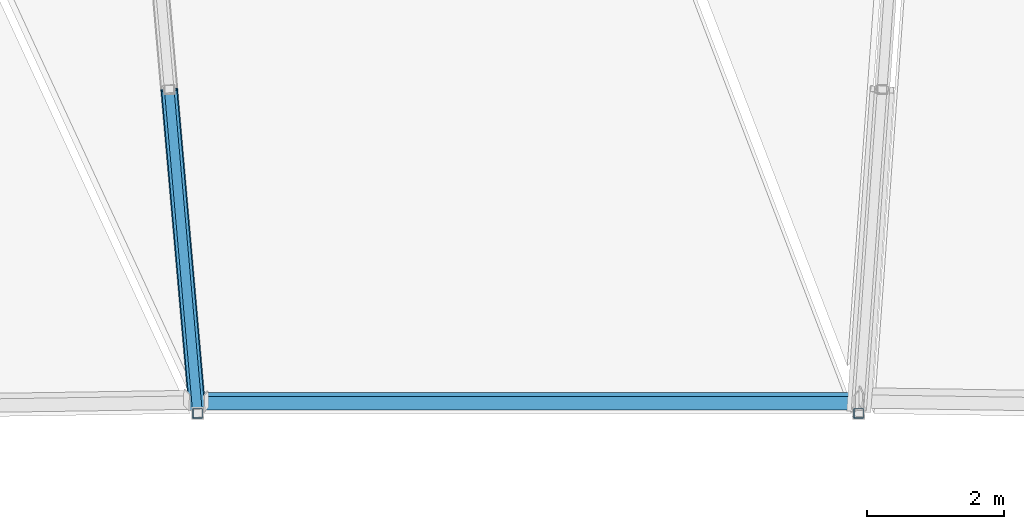
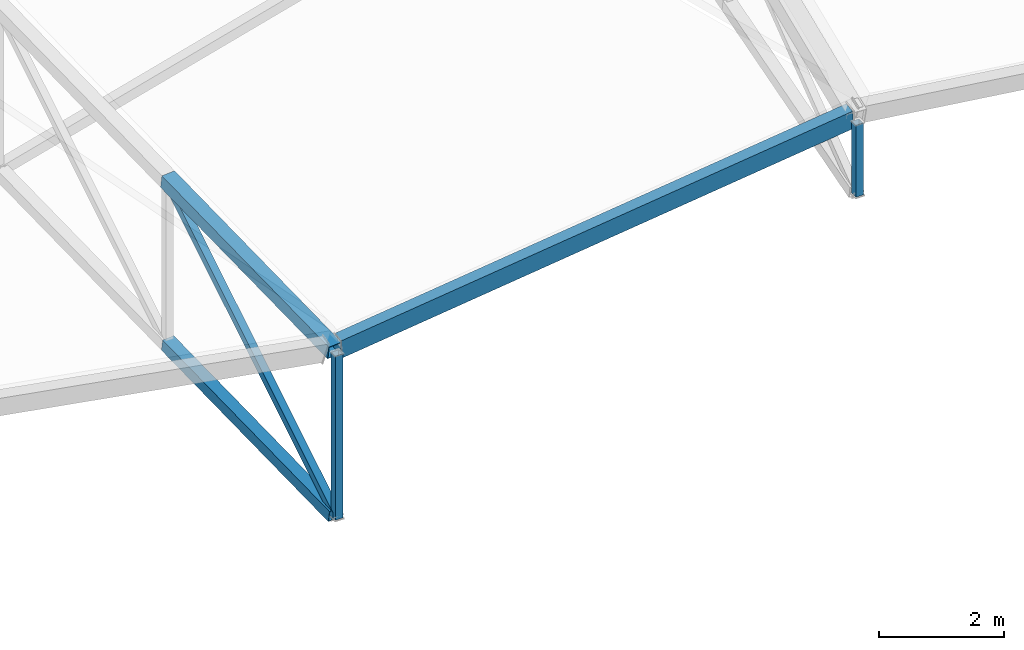
# One storey, part 150 of 344: 5 members, 1 beam.
"""IFC4 building model written with IfcOpenShell, lengths in metres."""

from ifc_helpers import new_model, si_unit, direction, frame, origin, origin_2d, place, context, subcontext, project, spatial, hollow_rectangle, extrude, material, material_profile, profile_set, type_object, element, save


model = new_model("IFC4")

# Units and contexts
model_context = context("Model", 3, precision=1e-05, world=origin(), true_north=direction((0.0, 1.0)))
body_context = subcontext(model_context, "Body", "Model", "MODEL_VIEW")
ifc_project = project(units=[si_unit("LENGTHUNIT", "METRE"), si_unit("AREAUNIT", "SQUARE_METRE"), si_unit("VOLUMEUNIT", "CUBIC_METRE"), si_unit("PLANEANGLEUNIT", "RADIAN"), si_unit("MASSUNIT", "GRAM", prefix="KILO")], contexts=[model_context])

# Site, building, storey
site_placement = place(None, origin())
site = spatial("IfcSite", under=ifc_project, at=site_placement, CompositionType="ELEMENT")
building_placement = place(site_placement, origin())
building = spatial("IfcBuilding", under=site, at=building_placement, Name="Meseta Stadium", CompositionType="ELEMENT")
storey_placement = place(building_placement, frame((0.0, 0.0, 24.0)))
storey = spatial("IfcBuildingStorey", under=building, at=storey_placement, Name="L04", CompositionType="ELEMENT", Elevation=24.0)

# Beam
ifc_material_1 = material(Name="Steel S355", Category="steel")
ifc_material_profile_1 = material_profile(ifc_material_1, hollow_rectangle(XDim=0.199951171875, YDim=0.39990234375, WallThickness=0.01611328125, at=origin_2d()), Name="RHS 400x200x16")
ifc_profile_set_1 = profile_set([ifc_material_profile_1], Name="Steel S355")
beam_type = type_object("IfcBeamType", Name="RHS 400x200x16 tip ring beam", PredefinedType="BEAM", material=ifc_profile_set_1)
beam_placement = place(storey_placement, frame((4.76806640625, 66.156982421875, 6.14111328125), z_axis=(-0.992320038647, 0.0, -0.123696972071), x_axis=(0.019061759151, -0.988055186253, -0.152916965234)))
element("IfcBeam", 1, at=beam_placement, inside=storey, type_object=beam_type, Name="TIP RING BEAM 19", PredefinedType="BEAM", context=body_context, shape_type="SweptSolid", body=[
    extrude(hollow_rectangle(XDim=0.199951171875, YDim=0.39990234375, WallThickness=0.01611328125, at=origin_2d()), origin(), (0.0, 0.0, 1.0), 9.51904296875),
])

# Members
ifc_material_2 = material(Name="Steel S355", Category="steel")
ifc_material_profile_2 = material_profile(ifc_material_2, hollow_rectangle(XDim=0.139892578125, YDim=0.139892578125, WallThickness=0.0048828125, at=origin_2d()), Name="SHS 140x140x5")
ifc_profile_set_2 = profile_set([ifc_material_profile_2], Name="Steel S355")
member_type_1 = type_object("IfcMemberType", Name="SHS 140x140x5 diagonal", PredefinedType="BRACE", material=ifc_profile_set_2)
member_1_placement = place(storey_placement, frame((-4.80810546875, 65.981201171875, 1.7705078125), z_axis=(-0.067383470322, 0.769224802413, 0.635415353355), x_axis=(-0.996185132268, -0.087265011587, 0.0)))
element("IfcMember", 2, at=member_1_placement, inside=storey, type_object=member_type_1, Name="ROOF TRUSS RT-19 diagonal", PredefinedType="BRACE", context=body_context, shape_type="SweptSolid", body=[
    extrude(hollow_rectangle(XDim=0.139892578125, YDim=0.139892578125, WallThickness=0.0048828125, at=origin_2d()), origin(), (0.0, 0.0, 1.0), 6.119384765625),
])
ifc_material_3 = material(Name="Steel S355", Category="steel")
ifc_material_profile_3 = material_profile(ifc_material_3, hollow_rectangle(XDim=0.139892578125, YDim=0.139892578125, WallThickness=0.0048828125, at=origin_2d()), Name="SHS 140x140x5")
ifc_profile_set_3 = profile_set([ifc_material_profile_3], Name="Steel S355")
member_type_2 = type_object("IfcMemberType", Name="SHS 140x140x5 rim post", PredefinedType="POST", material=ifc_profile_set_3)
member_2_placement = place(storey_placement, frame((4.80810546875, 65.981201171875, 4.71435546875), z_axis=(0.0, 0.0, 1.0), x_axis=(1.0, 0.0, 0.0)))
element("IfcMember", 3, at=member_2_placement, inside=storey, type_object=member_type_2, Name="ROOF TRUSS RT-18 post", PredefinedType="POST", context=body_context, shape_type="SweptSolid", body=[
    extrude(hollow_rectangle(XDim=0.139892578125, YDim=0.139892578125, WallThickness=0.0048828125, at=origin_2d()), origin(), (0.0, 0.0, 1.0), 1.400146484375),
])
member_3_placement = place(storey_placement, frame((-4.80810546875, 65.981201171875, 1.7705078125), z_axis=(0.0, 0.0, 1.0), x_axis=(1.0, 0.0, 0.0)))
element("IfcMember", 4, at=member_3_placement, inside=storey, type_object=member_type_2, Name="ROOF TRUSS RT-19 post", PredefinedType="POST", context=body_context, shape_type="SweptSolid", body=[
    extrude(hollow_rectangle(XDim=0.139892578125, YDim=0.139892578125, WallThickness=0.0048828125, at=origin_2d()), origin(), (0.0, 0.0, 1.0), 3.199951171875),
])
ifc_material_4 = material(Name="Steel S355", Category="steel")
ifc_material_profile_4 = material_profile(ifc_material_4, hollow_rectangle(XDim=0.219970703125, YDim=0.219970703125, WallThickness=0.008056640625, at=origin_2d()), Name="SHS 220x220x8")
ifc_profile_set_4 = profile_set([ifc_material_profile_4], Name="Steel S355")
member_type_3 = type_object("IfcMemberType", Name="SHS 220x220x8 bottom chord", PredefinedType="CHORD", material=ifc_profile_set_4)
member_4_placement = place(storey_placement, frame((-4.81396484375, 66.05029296875, 1.780517578125), z_axis=(-0.086394359171, 0.985777799121, 0.144146264131), x_axis=(-0.996181527694, -0.087306150311, 0.0)))
element("IfcMember", 5, at=member_4_placement, inside=storey, type_object=member_type_3, Name="ROOF TRUSS RT-19 bottom chord", PredefinedType="CHORD", context=body_context, shape_type="SweptSolid", body=[
    extrude(hollow_rectangle(XDim=0.219970703125, YDim=0.219970703125, WallThickness=0.008056640625, at=origin_2d()), origin(), (0.0, 0.0, 1.0), 4.705078125),
])
ifc_material_5 = material(Name="Steel S355", Category="steel")
ifc_material_profile_5 = material_profile(ifc_material_5, hollow_rectangle(XDim=0.25, YDim=0.25, WallThickness=0.010009765625, at=origin_2d()), Name="SHS 250x250x10")
ifc_profile_set_5 = profile_set([ifc_material_profile_5], Name="Steel S355")
member_type_4 = type_object("IfcMemberType", Name="SHS 250x250x10 top chord", PredefinedType="CHORD", material=ifc_profile_set_5)
member_5_placement = place(storey_placement, frame((-4.81396484375, 66.05029296875, 4.98046875), z_axis=(-0.086393712873, 0.985770424718, 0.144197073918), x_axis=(-0.996181527694, -0.087306150311, 0.0)))
element("IfcMember", 6, at=member_5_placement, inside=storey, type_object=member_type_4, Name="ROOF TRUSS RT-19 top chord", PredefinedType="CHORD", context=body_context, shape_type="SweptSolid", body=[
    extrude(hollow_rectangle(XDim=0.25, YDim=0.25, WallThickness=0.010009765625, at=origin_2d()), origin(), (0.0, 0.0, 1.0), 4.705078125),
])

save(model, "model.ifc")
